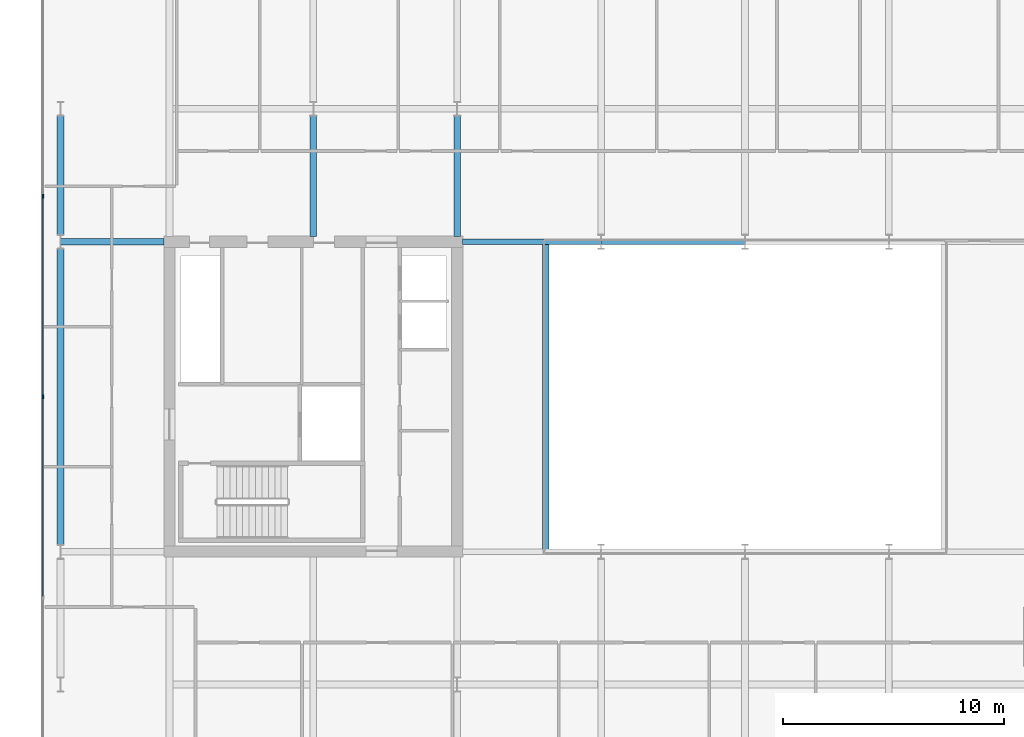
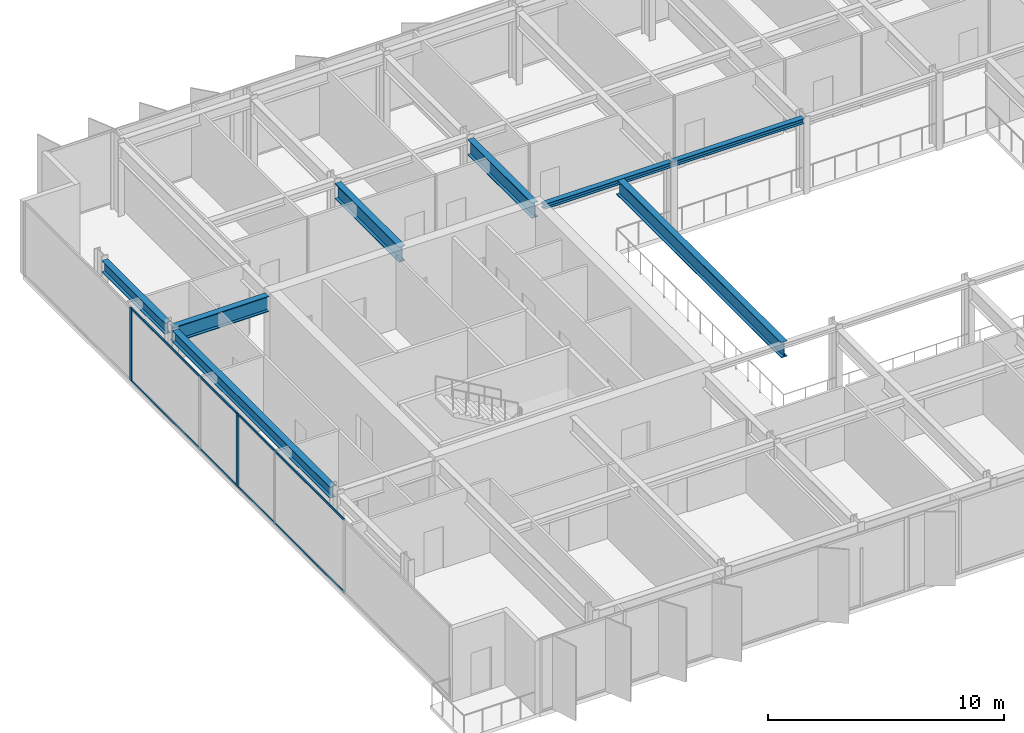
# One storey, part 5 of 20: 8 beams, 6 members, 1 element without a shape of its own.
"""IFC4 building model written with IfcOpenShell, lengths in metres."""

from ifc_helpers import new_model, si_unit, direction, frame, origin, origin_2d, place, context, subcontext, project, spatial, rectangle, i_section, extrude, material, layer, layer_set, material_profile, profile_set, type_object, element, aggregate, save


model = new_model("IFC4")

# Units and contexts
model_context = context("Model", 3, precision=1e-05, world=origin(), true_north=direction((0.0, 1.0)))
body_context = subcontext(model_context, "Body", "Model", "MODEL_VIEW")
ifc_project = project(units=[si_unit("LENGTHUNIT", "METRE"), si_unit("AREAUNIT", "SQUARE_METRE"), si_unit("VOLUMEUNIT", "CUBIC_METRE"), si_unit("PLANEANGLEUNIT", "RADIAN"), si_unit("MASSUNIT", "GRAM", prefix="KILO")], contexts=[model_context])

# Site, building, storey
site_placement = place(None, origin())
site = spatial("IfcSite", under=ifc_project, at=site_placement, CompositionType="ELEMENT")
building_placement = place(site_placement, origin())
building = spatial("IfcBuilding", under=site, at=building_placement, Name="Putna Gate Headquarters", CompositionType="ELEMENT")
storey_placement = place(building_placement, frame((0.0, 0.0, 294.39990234375)))
storey = spatial("IfcBuildingStorey", under=building, at=storey_placement, Name="L74", CompositionType="ELEMENT", Elevation=294.39990234375)

# Beams
ifc_material_1 = material(Name="Steel S355J2", Category="steel")
ifc_material_profile_1 = material_profile(ifc_material_1, i_section(OverallWidth=0.260009765625, OverallDepth=0.260009765625, WebThickness=0.010009765625, FlangeThickness=0.017578125, at=origin_2d()), Name="Steel S355J2")
ifc_profile_set_1 = profile_set([ifc_material_profile_1], Name="Steel S355J2")
beam_type_1 = type_object("IfcBeamType", Name="BM-ATRIUM-HEB260", PredefinedType="BEAM", material=ifc_profile_set_1)
beam_1_placement = place(storey_placement, frame((26.235107421875, 33.0, 3.658203125), z_axis=(1.0, 0.0, 0.0), x_axis=(0.0, 1.0, 0.0)))
element("IfcBeam", 1, at=beam_1_placement, inside=storey, type_object=beam_type_1, Name="L74 Atrium Edge Beam AN1", PredefinedType="BEAM", context=body_context, shape_type="SweptSolid", body=[
    extrude(i_section(OverallWidth=0.260009765625, OverallDepth=0.260009765625, WebThickness=0.010009765625, FlangeThickness=0.017578125, at=origin_2d()), origin(), (0.0, 0.0, 1.0), 6.2587890625),
])
beam_2_placement = place(storey_placement, frame((32.506103515625, 33.0, 3.658203125), z_axis=(1.0, 0.0, 0.0), x_axis=(0.0, 1.0, 0.0)))
element("IfcBeam", 2, at=beam_2_placement, inside=storey, type_object=beam_type_1, Name="L74 Atrium Edge Beam AN2", PredefinedType="BEAM", context=body_context, shape_type="SweptSolid", body=[
    extrude(i_section(OverallWidth=0.260009765625, OverallDepth=0.260009765625, WebThickness=0.010009765625, FlangeThickness=0.017578125, at=origin_2d()), origin(), (0.0, 0.0, 1.0), 6.48779296875),
])
ifc_material_profile_2 = material_profile(ifc_material_1, i_section(OverallWidth=0.300048828125, OverallDepth=0.800048828125, WebThickness=0.017578125, FlangeThickness=0.032958984375, at=origin_2d()), Name="Steel S355J2")
ifc_profile_set_2 = profile_set([ifc_material_profile_2], Name="Steel S355J2")
beam_type_2 = type_object("IfcBeamType", Name="BM-GIRD-P-HEB800", PredefinedType="USERDEFINED", material=ifc_profile_set_2)
beam_3_placement = place(storey_placement, frame((8.0859375, 33.0, 3.38818359375), z_axis=(1.0, 0.0, 0.0), x_axis=(0.0, 1.0, 0.0)))
element("IfcBeam", 3, at=beam_3_placement, inside=storey, type_object=beam_type_2, Name="L74 West Wing Girder Y33", ObjectType="GIRDER", PredefinedType="USERDEFINED", context=body_context, shape_type="SweptSolid", body=[
    extrude(i_section(OverallWidth=0.300048828125, OverallDepth=0.800048828125, WebThickness=0.017578125, FlangeThickness=0.032958984375, at=origin_2d()), origin(), (0.0, 0.0, 1.0), 4.678955078125),
])
for number, where, z_axis, x_axis, name in (
    (4, (19.5, 33.235107421875, 3.38818359375), (0.0, 1.0, 0.0), (-1.0, 0.0, 0.0), "L74 North Primary Girder X19-1"),
    (5, (26.0, 33.235107421875, 3.38818359375), (0.0, 1.0, 0.0), (-1.0, 0.0, 0.0), "L74 North Primary Girder X26-1"),
):
    element("IfcBeam", number, at=place(storey_placement, frame(where, z_axis=z_axis, x_axis=x_axis)), inside=storey, type_object=beam_type_2, Name=name, ObjectType="GIRDER", PredefinedType="USERDEFINED", context=body_context, shape_type="SweptSolid", body=[
        extrude(i_section(OverallWidth=0.300048828125, OverallDepth=0.800048828125, WebThickness=0.017578125, FlangeThickness=0.032958984375, at=origin_2d()), origin(), (0.0, 0.0, 1.0), 5.44287109375),
    ])
beam_4_placement = place(storey_placement, frame((30.0, 19.010009765625, 3.38818359375), z_axis=(0.0, 1.0, 0.0), x_axis=(-1.0, 0.0, 0.0)))
element("IfcBeam", 6, at=beam_4_placement, inside=storey, type_object=beam_type_2, Name="L74 Atrium Trim Girder AW", ObjectType="GIRDER", PredefinedType="USERDEFINED", context=body_context, shape_type="SweptSolid", body=[
    extrude(i_section(OverallWidth=0.300048828125, OverallDepth=0.800048828125, WebThickness=0.017578125, FlangeThickness=0.032958984375, at=origin_2d()), origin(), (0.0, 0.0, 1.0), 13.97998046875),
])
ifc_material_profile_3 = material_profile(ifc_material_1, i_section(OverallWidth=0.300048828125, OverallDepth=0.590087890625, WebThickness=0.012939453125, FlangeThickness=0.02490234375, at=origin_2d()), Name="Steel S355J2")
ifc_profile_set_3 = profile_set([ifc_material_profile_3], Name="Steel S355J2")
beam_type_3 = type_object("IfcBeamType", Name="BM-SPAN-Z4-HEA600", PredefinedType="SPANDREL", material=ifc_profile_set_3)
beam_5_placement = place(storey_placement, frame((8.080078125, 19.322021484375, 3.4931640625), z_axis=(0.0, 1.0, 0.0), x_axis=(-1.0, 0.0, 0.0)))
element("IfcBeam", 7, at=beam_5_placement, inside=storey, type_object=beam_type_3, Name="L74 W End Spandrel 2", PredefinedType="SPANDREL", context=body_context, shape_type="SweptSolid", body=[
    extrude(i_section(OverallWidth=0.300048828125, OverallDepth=0.590087890625, WebThickness=0.012939453125, FlangeThickness=0.02490234375, at=origin_2d()), origin(), (0.0, 0.0, 1.0), 13.35595703125),
])
beam_6_placement = place(storey_placement, frame((8.080078125, 33.322021484375, 3.4931640625), z_axis=(0.0, 1.0, 0.0), x_axis=(-1.0, 0.0, 0.0)))
element("IfcBeam", 8, at=beam_6_placement, inside=storey, type_object=beam_type_3, Name="L74 W End Spandrel 3", PredefinedType="SPANDREL", context=body_context, shape_type="SweptSolid", body=[
    extrude(i_section(OverallWidth=0.300048828125, OverallDepth=0.590087890625, WebThickness=0.012939453125, FlangeThickness=0.02490234375, at=origin_2d()), origin(), (0.0, 0.0, 1.0), 5.35595703125),
])

# Curtain wall, members
ifc_material_2 = material(Name="Anodised bronze aluminium curtain wall", Category="aluminium")
ifc_layer = layer(ifc_material_2, 0.179931640625)
ifc_layer_set = layer_set([ifc_layer], Name="Anodised bronze aluminium curtain wall")
curtain_wall_type = type_object("IfcCurtainWallType", Name="CW-SYS-Z5", PredefinedType="USERDEFINED", material=ifc_layer_set)
curtain_wall_placement = place(storey_placement, origin())
curtain_wall = element("IfcCurtainWall", 9, at=curtain_wall_placement, inside=storey, type_object=curtain_wall_type, Name="L74 West Curtain Wall", ObjectType="STICK CURTAIN WALL", PredefinedType="USERDEFINED")
ifc_material_3 = material(Name="Anodised bronze aluminium EN AW-6060", Category="aluminium")
ifc_material_profile_4 = material_profile(ifc_material_3, rectangle(XDim=0.070068359375, YDim=0.179931640625, at=origin_2d()), Name="Anodised bronze aluminium EN AW-6060")
ifc_profile_set_4 = profile_set([ifc_material_profile_4], Name="Anodised bronze aluminium EN AW-6060")
member_type_1 = type_object("IfcMemberType", Name="MULL-CWM-5", PredefinedType="MULLION", material=ifc_profile_set_4)
member_1_placement = place(storey_placement, frame((7.280029296875, 26.0, 0.0), z_axis=(0.0, 0.0, 1.0), x_axis=(-1.0, 0.0, 0.0)))
member_1 = element("IfcMember", 10, at=member_1_placement, type_object=member_type_1, Name="CWS-5 mullion 3", PredefinedType="MULLION", context=body_context, shape_type="SweptSolid", body=[
    extrude(rectangle(XDim=0.070068359375, YDim=0.179931640625, at=origin_2d()), origin(), (0.0, 0.0, 1.0), 3.7880859375),
])
member_2_placement = place(storey_placement, frame((7.280029296875, 35.050048828125, 0.0), z_axis=(0.0, 0.0, 1.0), x_axis=(-1.0, 0.0, 0.0)))
member_2 = element("IfcMember", 11, at=member_2_placement, type_object=member_type_1, Name="CWS-5 mullion 4", PredefinedType="MULLION", context=body_context, shape_type="SweptSolid", body=[
    extrude(rectangle(XDim=0.070068359375, YDim=0.179931640625, at=origin_2d()), origin(), (0.0, 0.0, 1.0), 3.7880859375),
])
ifc_material_profile_5 = material_profile(ifc_material_3, rectangle(XDim=0.06005859375, YDim=0.10009765625, at=origin_2d()), Name="Anodised bronze aluminium EN AW-6060")
ifc_profile_set_5 = profile_set([ifc_material_profile_5], Name="Anodised bronze aluminium EN AW-6060")
member_type_2 = type_object("IfcMemberType", Name="TRAN-CWT-5", PredefinedType="USERDEFINED", material=ifc_profile_set_5)
member_3_placement = place(storey_placement, frame((7.280029296875, 16.985107421875, 0.030029296875), z_axis=(0.0, 1.0, 0.0), x_axis=(-1.0, 0.0, 0.0)))
member_3 = element("IfcMember", 12, at=member_3_placement, type_object=member_type_2, Name="CWS-5 transom 2.1", ObjectType="TRANSOM", PredefinedType="USERDEFINED", context=body_context, shape_type="SweptSolid", body=[
    extrude(rectangle(XDim=0.06005859375, YDim=0.10009765625, at=origin_2d()), origin(), (0.0, 0.0, 1.0), 8.97998046875),
])
member_4_placement = place(storey_placement, frame((7.280029296875, 16.985107421875, 3.758056640625), z_axis=(0.0, 1.0, 0.0), x_axis=(-1.0, 0.0, 0.0)))
member_4 = element("IfcMember", 13, at=member_4_placement, type_object=member_type_2, Name="CWS-5 transom 2.2", ObjectType="TRANSOM", PredefinedType="USERDEFINED", context=body_context, shape_type="SweptSolid", body=[
    extrude(rectangle(XDim=0.06005859375, YDim=0.10009765625, at=origin_2d()), origin(), (0.0, 0.0, 1.0), 8.97998046875),
])
member_5_placement = place(storey_placement, frame((7.280029296875, 26.034912109375, 0.030029296875), z_axis=(0.0, 1.0, 0.0), x_axis=(-1.0, 0.0, 0.0)))
member_5 = element("IfcMember", 14, at=member_5_placement, type_object=member_type_2, Name="CWS-5 transom 3.1", ObjectType="TRANSOM", PredefinedType="USERDEFINED", context=body_context, shape_type="SweptSolid", body=[
    extrude(rectangle(XDim=0.06005859375, YDim=0.10009765625, at=origin_2d()), origin(), (0.0, 0.0, 1.0), 8.97998046875),
])
member_6_placement = place(storey_placement, frame((7.280029296875, 26.034912109375, 3.758056640625), z_axis=(0.0, 1.0, 0.0), x_axis=(-1.0, 0.0, 0.0)))
member_6 = element("IfcMember", 15, at=member_6_placement, type_object=member_type_2, Name="CWS-5 transom 3.2", ObjectType="TRANSOM", PredefinedType="USERDEFINED", context=body_context, shape_type="SweptSolid", body=[
    extrude(rectangle(XDim=0.06005859375, YDim=0.10009765625, at=origin_2d()), origin(), (0.0, 0.0, 1.0), 8.97998046875),
])
aggregate(curtain_wall, [member_1, member_2, member_3, member_4, member_5, member_6])

save(model, "model.ifc")
